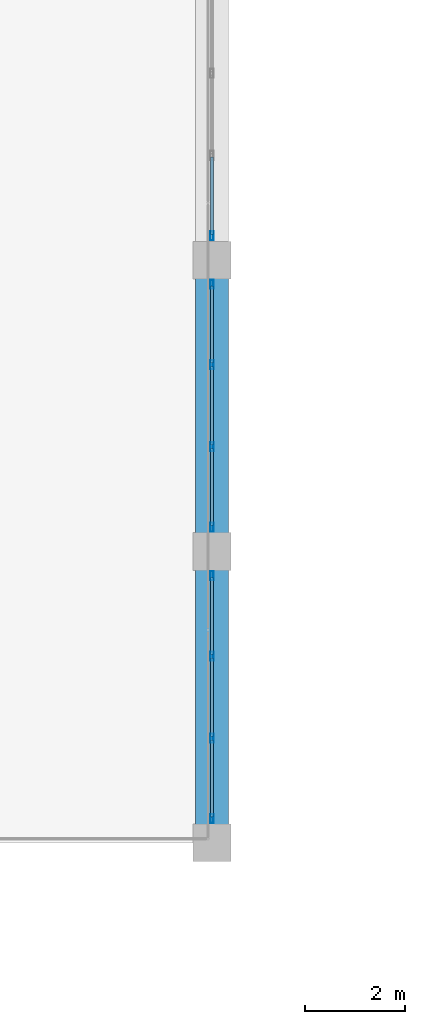
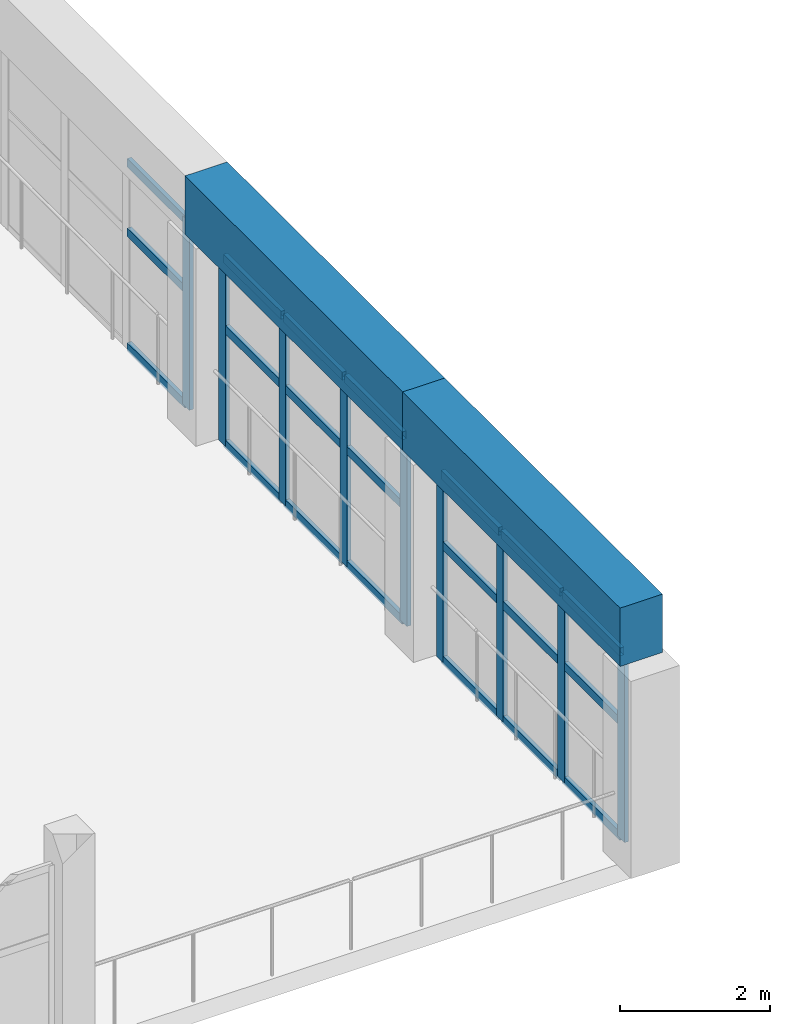
# One storey, part 32 of 128: 30 members, 2 beams, 3 elements without a shape of their own.
"""IFC4 building model written with IfcOpenShell, lengths in metres."""

from ifc_helpers import new_model, si_unit, direction, frame, origin, origin_2d, place, context, subcontext, project, spatial, rectangle, hollow_rectangle, extrude, material, material_profile, profile_set, type_object, element, aggregate, save


model = new_model("IFC4")

# Units and contexts
model_context = context("Model", 3, precision=1e-05, world=origin(), true_north=direction((0.0, 1.0)))
body_context = subcontext(model_context, "Body", "Model", "MODEL_VIEW")
ifc_project = project(units=[si_unit("LENGTHUNIT", "METRE"), si_unit("AREAUNIT", "SQUARE_METRE"), si_unit("VOLUMEUNIT", "CUBIC_METRE"), si_unit("PLANEANGLEUNIT", "RADIAN"), si_unit("MASSUNIT", "GRAM", prefix="KILO")], contexts=[model_context])

# Site, building, storey
site_placement = place(None, origin())
site = spatial("IfcSite", under=ifc_project, at=site_placement, CompositionType="ELEMENT")
building_placement = place(site_placement, origin())
building = spatial("IfcBuilding", under=site, at=building_placement, Name="Tanwirah Colonnade Gardens", CompositionType="ELEMENT")
storey_placement = place(building_placement, frame((0.0, 0.0, 4.760009765625)))
storey = spatial("IfcBuildingStorey", under=building, at=storey_placement, Name="L01", CompositionType="ELEMENT", Elevation=4.760009765625)

# Curtain wall, members
ifc_material_1 = material(Name="Bronze-anodised aluminium and solar-control low-E glass", Category="aluminium")
curtain_wall_type = type_object("IfcCurtainWallType", Name="CW-HALL", PredefinedType="NOTDEFINED", material=ifc_material_1)
curtain_wall_1_placement = place(storey_placement, origin())
curtain_wall_1 = element("IfcCurtainWall", 1, at=curtain_wall_1_placement, inside=storey, type_object=curtain_wall_type, Name="Curtain Wall CW-HALL-L01-E-1", PredefinedType="NOTDEFINED")
ifc_material_2 = material(Name="Bronze-anodised aluminium", Category="aluminium")
ifc_material_profile_1 = material_profile(ifc_material_2, hollow_rectangle(XDim=0.06494140625, YDim=0.179931640625, WallThickness=0.00390625, at=origin_2d()), Name="CW-MUL 65x180x4")
ifc_profile_set_1 = profile_set([ifc_material_profile_1], Name="Bronze-anodised aluminium")
member_type_1 = type_object("IfcMemberType", Name="CWM-65x180", PredefinedType="MULLION", material=ifc_profile_set_1)
member_1_placement = place(storey_placement, frame((108.0, 40.282470703125, 0.0), z_axis=(0.0, 0.0, 1.0), x_axis=(-1.0, 0.0, 0.0)))
member_1 = element("IfcMember", 2, at=member_1_placement, type_object=member_type_1, Name="CW-HALL mullion 1", PredefinedType="MULLION", context=body_context, shape_type="SweptSolid", body=[
    extrude(hollow_rectangle(XDim=0.06494140625, YDim=0.179931640625, WallThickness=0.00390625, at=origin_2d()), origin(), (0.0, 0.0, 1.0), 3.06005859375),
])
member_2_placement = place(storey_placement, frame((108.0, 41.88330078125, 0.0), z_axis=(0.0, 0.0, 1.0), x_axis=(-1.0, 0.0, 0.0)))
member_2 = element("IfcMember", 3, at=member_2_placement, type_object=member_type_1, Name="CW-HALL mullion 2", PredefinedType="MULLION", context=body_context, shape_type="SweptSolid", body=[
    extrude(hollow_rectangle(XDim=0.06494140625, YDim=0.179931640625, WallThickness=0.00390625, at=origin_2d()), origin(), (0.0, 0.0, 1.0), 3.06005859375),
])
member_3_placement = place(storey_placement, frame((108.0, 43.5166015625, 0.0), z_axis=(0.0, 0.0, 1.0), x_axis=(-1.0, 0.0, 0.0)))
member_3 = element("IfcMember", 4, at=member_3_placement, type_object=member_type_1, Name="CW-HALL mullion 3", PredefinedType="MULLION", context=body_context, shape_type="SweptSolid", body=[
    extrude(hollow_rectangle(XDim=0.06494140625, YDim=0.179931640625, WallThickness=0.00390625, at=origin_2d()), origin(), (0.0, 0.0, 1.0), 3.06005859375),
])
member_4_placement = place(storey_placement, frame((108.0, 45.117431640625, 0.0), z_axis=(0.0, 0.0, 1.0), x_axis=(-1.0, 0.0, 0.0)))
member_4 = element("IfcMember", 5, at=member_4_placement, type_object=member_type_1, Name="CW-HALL mullion 4", PredefinedType="MULLION", context=body_context, shape_type="SweptSolid", body=[
    extrude(hollow_rectangle(XDim=0.06494140625, YDim=0.179931640625, WallThickness=0.00390625, at=origin_2d()), origin(), (0.0, 0.0, 1.0), 3.06005859375),
])

curtain_wall_2_placement = place(storey_placement, origin())
curtain_wall_2 = element("IfcCurtainWall", 6, at=curtain_wall_2_placement, inside=storey, type_object=curtain_wall_type, Name="Curtain Wall CW-HALL-L01-E-2", PredefinedType="NOTDEFINED")
member_5_placement = place(storey_placement, frame((108.0, 46.08251953125, 0.0), z_axis=(0.0, 0.0, 1.0), x_axis=(-1.0, 0.0, 0.0)))
member_5 = element("IfcMember", 7, at=member_5_placement, type_object=member_type_1, Name="CW-HALL mullion 1", PredefinedType="MULLION", context=body_context, shape_type="SweptSolid", body=[
    extrude(hollow_rectangle(XDim=0.06494140625, YDim=0.179931640625, WallThickness=0.00390625, at=origin_2d()), origin(), (0.0, 0.0, 1.0), 3.06005859375),
])
member_6_placement = place(storey_placement, frame((108.0, 47.683349609375, 0.0), z_axis=(0.0, 0.0, 1.0), x_axis=(-1.0, 0.0, 0.0)))
member_6 = element("IfcMember", 8, at=member_6_placement, type_object=member_type_1, Name="CW-HALL mullion 2", PredefinedType="MULLION", context=body_context, shape_type="SweptSolid", body=[
    extrude(hollow_rectangle(XDim=0.06494140625, YDim=0.179931640625, WallThickness=0.00390625, at=origin_2d()), origin(), (0.0, 0.0, 1.0), 3.06005859375),
])
member_7_placement = place(storey_placement, frame((108.0, 49.316650390625, 0.0), z_axis=(0.0, 0.0, 1.0), x_axis=(-1.0, 0.0, 0.0)))
member_7 = element("IfcMember", 9, at=member_7_placement, type_object=member_type_1, Name="CW-HALL mullion 3", PredefinedType="MULLION", context=body_context, shape_type="SweptSolid", body=[
    extrude(hollow_rectangle(XDim=0.06494140625, YDim=0.179931640625, WallThickness=0.00390625, at=origin_2d()), origin(), (0.0, 0.0, 1.0), 3.06005859375),
])
member_8_placement = place(storey_placement, frame((108.0, 50.91748046875, 0.0), z_axis=(0.0, 0.0, 1.0), x_axis=(-1.0, 0.0, 0.0)))
member_8 = element("IfcMember", 10, at=member_8_placement, type_object=member_type_1, Name="CW-HALL mullion 4", PredefinedType="MULLION", context=body_context, shape_type="SweptSolid", body=[
    extrude(hollow_rectangle(XDim=0.06494140625, YDim=0.179931640625, WallThickness=0.00390625, at=origin_2d()), origin(), (0.0, 0.0, 1.0), 3.06005859375),
])

# Curtain wall, member
curtain_wall_3_placement = place(storey_placement, origin())
curtain_wall_3 = element("IfcCurtainWall", 11, at=curtain_wall_3_placement, inside=storey, type_object=curtain_wall_type, Name="Curtain Wall CW-HALL-L01-E-3", PredefinedType="NOTDEFINED")
member_9_placement = place(storey_placement, frame((108.0, 51.882568359375, 0.0), z_axis=(0.0, 0.0, 1.0), x_axis=(-1.0, 0.0, 0.0)))
member_9 = element("IfcMember", 12, at=member_9_placement, type_object=member_type_1, Name="CW-HALL mullion 1", PredefinedType="MULLION", context=body_context, shape_type="SweptSolid", body=[
    extrude(hollow_rectangle(XDim=0.06494140625, YDim=0.179931640625, WallThickness=0.00390625, at=origin_2d()), origin(), (0.0, 0.0, 1.0), 3.06005859375),
])

# Member
ifc_material_profile_2 = material_profile(ifc_material_2, hollow_rectangle(XDim=0.06494140625, YDim=0.135009765625, WallThickness=0.00390625, at=origin_2d()), Name="CW-TRN 65x135x4")
ifc_profile_set_2 = profile_set([ifc_material_profile_2], Name="Bronze-anodised aluminium")
member_type_2 = type_object("IfcMemberType", Name="CWT-65x135", PredefinedType="USERDEFINED", material=ifc_profile_set_2)
member_10_placement = place(storey_placement, frame((108.0, 40.31494140625, 0.032470703125), z_axis=(0.0, 1.0, 0.0), x_axis=(-1.0, 0.0, 0.0)))
member_10 = element("IfcMember", 13, at=member_10_placement, type_object=member_type_2, Name="CW-HALL transom 1.1", ObjectType="TRANSOM", PredefinedType="USERDEFINED", context=body_context, shape_type="SweptSolid", body=[
    extrude(hollow_rectangle(XDim=0.06494140625, YDim=0.135009765625, WallThickness=0.00390625, at=origin_2d()), origin(), (0.0, 0.0, 1.0), 1.535888671875),
])

member_11_placement = place(storey_placement, frame((108.0, 40.31494140625, 1.897216796875), z_axis=(0.0, 1.0, 0.0), x_axis=(-1.0, 0.0, 0.0)))
member_11 = element("IfcMember", 14, at=member_11_placement, type_object=member_type_2, Name="CW-HALL transom 1.2", ObjectType="TRANSOM", PredefinedType="USERDEFINED", context=body_context, shape_type="SweptSolid", body=[
    extrude(hollow_rectangle(XDim=0.06494140625, YDim=0.135009765625, WallThickness=0.00390625, at=origin_2d()), origin(), (0.0, 0.0, 1.0), 1.535888671875),
])

member_12_placement = place(storey_placement, frame((108.0, 40.31494140625, 3.027587890625), z_axis=(0.0, 1.0, 0.0), x_axis=(-1.0, 0.0, 0.0)))
member_12 = element("IfcMember", 15, at=member_12_placement, type_object=member_type_2, Name="CW-HALL transom 1.3", ObjectType="TRANSOM", PredefinedType="USERDEFINED", context=body_context, shape_type="SweptSolid", body=[
    extrude(hollow_rectangle(XDim=0.06494140625, YDim=0.135009765625, WallThickness=0.00390625, at=origin_2d()), origin(), (0.0, 0.0, 1.0), 1.535888671875),
])

member_13_placement = place(storey_placement, frame((108.0, 41.915771484375, 0.032470703125), z_axis=(0.0, 1.0, 0.0), x_axis=(-1.0, 0.0, 0.0)))
member_13 = element("IfcMember", 16, at=member_13_placement, type_object=member_type_2, Name="CW-HALL transom 2.1", ObjectType="TRANSOM", PredefinedType="USERDEFINED", context=body_context, shape_type="SweptSolid", body=[
    extrude(hollow_rectangle(XDim=0.06494140625, YDim=0.135009765625, WallThickness=0.00390625, at=origin_2d()), origin(), (0.0, 0.0, 1.0), 1.568359375),
])

member_14_placement = place(storey_placement, frame((108.0, 41.915771484375, 1.897216796875), z_axis=(0.0, 1.0, 0.0), x_axis=(-1.0, 0.0, 0.0)))
member_14 = element("IfcMember", 17, at=member_14_placement, type_object=member_type_2, Name="CW-HALL transom 2.2", ObjectType="TRANSOM", PredefinedType="USERDEFINED", context=body_context, shape_type="SweptSolid", body=[
    extrude(hollow_rectangle(XDim=0.06494140625, YDim=0.135009765625, WallThickness=0.00390625, at=origin_2d()), origin(), (0.0, 0.0, 1.0), 1.568359375),
])

member_15_placement = place(storey_placement, frame((108.0, 41.915771484375, 3.027587890625), z_axis=(0.0, 1.0, 0.0), x_axis=(-1.0, 0.0, 0.0)))
member_15 = element("IfcMember", 18, at=member_15_placement, type_object=member_type_2, Name="CW-HALL transom 2.3", ObjectType="TRANSOM", PredefinedType="USERDEFINED", context=body_context, shape_type="SweptSolid", body=[
    extrude(hollow_rectangle(XDim=0.06494140625, YDim=0.135009765625, WallThickness=0.00390625, at=origin_2d()), origin(), (0.0, 0.0, 1.0), 1.568359375),
])

member_16_placement = place(storey_placement, frame((108.0, 43.549072265625, 0.032470703125), z_axis=(0.0, 1.0, 0.0), x_axis=(-1.0, 0.0, 0.0)))
member_16 = element("IfcMember", 19, at=member_16_placement, type_object=member_type_2, Name="CW-HALL transom 3.1", ObjectType="TRANSOM", PredefinedType="USERDEFINED", context=body_context, shape_type="SweptSolid", body=[
    extrude(hollow_rectangle(XDim=0.06494140625, YDim=0.135009765625, WallThickness=0.00390625, at=origin_2d()), origin(), (0.0, 0.0, 1.0), 1.535888671875),
])

member_17_placement = place(storey_placement, frame((108.0, 43.549072265625, 1.897216796875), z_axis=(0.0, 1.0, 0.0), x_axis=(-1.0, 0.0, 0.0)))
member_17 = element("IfcMember", 20, at=member_17_placement, type_object=member_type_2, Name="CW-HALL transom 3.2", ObjectType="TRANSOM", PredefinedType="USERDEFINED", context=body_context, shape_type="SweptSolid", body=[
    extrude(hollow_rectangle(XDim=0.06494140625, YDim=0.135009765625, WallThickness=0.00390625, at=origin_2d()), origin(), (0.0, 0.0, 1.0), 1.535888671875),
])

member_18_placement = place(storey_placement, frame((108.0, 43.549072265625, 3.027587890625), z_axis=(0.0, 1.0, 0.0), x_axis=(-1.0, 0.0, 0.0)))
member_18 = element("IfcMember", 21, at=member_18_placement, type_object=member_type_2, Name="CW-HALL transom 3.3", ObjectType="TRANSOM", PredefinedType="USERDEFINED", context=body_context, shape_type="SweptSolid", body=[
    extrude(hollow_rectangle(XDim=0.06494140625, YDim=0.135009765625, WallThickness=0.00390625, at=origin_2d()), origin(), (0.0, 0.0, 1.0), 1.535888671875),
])

aggregate(curtain_wall_1, [member_1, member_2, member_3, member_4, member_10, member_11, member_12, member_13, member_14, member_15, member_16, member_17, member_18])

member_19_placement = place(storey_placement, frame((108.0, 46.114990234375, 0.032470703125), z_axis=(0.0, 1.0, 0.0), x_axis=(-1.0, 0.0, 0.0)))
member_19 = element("IfcMember", 22, at=member_19_placement, type_object=member_type_2, Name="CW-HALL transom 1.1", ObjectType="TRANSOM", PredefinedType="USERDEFINED", context=body_context, shape_type="SweptSolid", body=[
    extrude(hollow_rectangle(XDim=0.06494140625, YDim=0.135009765625, WallThickness=0.00390625, at=origin_2d()), origin(), (0.0, 0.0, 1.0), 1.535888671875),
])

member_20_placement = place(storey_placement, frame((108.0, 46.114990234375, 1.897216796875), z_axis=(0.0, 1.0, 0.0), x_axis=(-1.0, 0.0, 0.0)))
member_20 = element("IfcMember", 23, at=member_20_placement, type_object=member_type_2, Name="CW-HALL transom 1.2", ObjectType="TRANSOM", PredefinedType="USERDEFINED", context=body_context, shape_type="SweptSolid", body=[
    extrude(hollow_rectangle(XDim=0.06494140625, YDim=0.135009765625, WallThickness=0.00390625, at=origin_2d()), origin(), (0.0, 0.0, 1.0), 1.535888671875),
])

member_21_placement = place(storey_placement, frame((108.0, 46.114990234375, 3.027587890625), z_axis=(0.0, 1.0, 0.0), x_axis=(-1.0, 0.0, 0.0)))
member_21 = element("IfcMember", 24, at=member_21_placement, type_object=member_type_2, Name="CW-HALL transom 1.3", ObjectType="TRANSOM", PredefinedType="USERDEFINED", context=body_context, shape_type="SweptSolid", body=[
    extrude(hollow_rectangle(XDim=0.06494140625, YDim=0.135009765625, WallThickness=0.00390625, at=origin_2d()), origin(), (0.0, 0.0, 1.0), 1.535888671875),
])

member_22_placement = place(storey_placement, frame((108.0, 47.7158203125, 0.032470703125), z_axis=(0.0, 1.0, 0.0), x_axis=(-1.0, 0.0, 0.0)))
member_22 = element("IfcMember", 25, at=member_22_placement, type_object=member_type_2, Name="CW-HALL transom 2.1", ObjectType="TRANSOM", PredefinedType="USERDEFINED", context=body_context, shape_type="SweptSolid", body=[
    extrude(hollow_rectangle(XDim=0.06494140625, YDim=0.135009765625, WallThickness=0.00390625, at=origin_2d()), origin(), (0.0, 0.0, 1.0), 1.568359375),
])

member_23_placement = place(storey_placement, frame((108.0, 47.7158203125, 1.897216796875), z_axis=(0.0, 1.0, 0.0), x_axis=(-1.0, 0.0, 0.0)))
member_23 = element("IfcMember", 26, at=member_23_placement, type_object=member_type_2, Name="CW-HALL transom 2.2", ObjectType="TRANSOM", PredefinedType="USERDEFINED", context=body_context, shape_type="SweptSolid", body=[
    extrude(hollow_rectangle(XDim=0.06494140625, YDim=0.135009765625, WallThickness=0.00390625, at=origin_2d()), origin(), (0.0, 0.0, 1.0), 1.568359375),
])

member_24_placement = place(storey_placement, frame((108.0, 47.7158203125, 3.027587890625), z_axis=(0.0, 1.0, 0.0), x_axis=(-1.0, 0.0, 0.0)))
member_24 = element("IfcMember", 27, at=member_24_placement, type_object=member_type_2, Name="CW-HALL transom 2.3", ObjectType="TRANSOM", PredefinedType="USERDEFINED", context=body_context, shape_type="SweptSolid", body=[
    extrude(hollow_rectangle(XDim=0.06494140625, YDim=0.135009765625, WallThickness=0.00390625, at=origin_2d()), origin(), (0.0, 0.0, 1.0), 1.568359375),
])

member_25_placement = place(storey_placement, frame((108.0, 49.34912109375, 0.032470703125), z_axis=(0.0, 1.0, 0.0), x_axis=(-1.0, 0.0, 0.0)))
member_25 = element("IfcMember", 28, at=member_25_placement, type_object=member_type_2, Name="CW-HALL transom 3.1", ObjectType="TRANSOM", PredefinedType="USERDEFINED", context=body_context, shape_type="SweptSolid", body=[
    extrude(hollow_rectangle(XDim=0.06494140625, YDim=0.135009765625, WallThickness=0.00390625, at=origin_2d()), origin(), (0.0, 0.0, 1.0), 1.535888671875),
])

member_26_placement = place(storey_placement, frame((108.0, 49.34912109375, 1.897216796875), z_axis=(0.0, 1.0, 0.0), x_axis=(-1.0, 0.0, 0.0)))
member_26 = element("IfcMember", 29, at=member_26_placement, type_object=member_type_2, Name="CW-HALL transom 3.2", ObjectType="TRANSOM", PredefinedType="USERDEFINED", context=body_context, shape_type="SweptSolid", body=[
    extrude(hollow_rectangle(XDim=0.06494140625, YDim=0.135009765625, WallThickness=0.00390625, at=origin_2d()), origin(), (0.0, 0.0, 1.0), 1.535888671875),
])

member_27_placement = place(storey_placement, frame((108.0, 49.34912109375, 3.027587890625), z_axis=(0.0, 1.0, 0.0), x_axis=(-1.0, 0.0, 0.0)))
member_27 = element("IfcMember", 30, at=member_27_placement, type_object=member_type_2, Name="CW-HALL transom 3.3", ObjectType="TRANSOM", PredefinedType="USERDEFINED", context=body_context, shape_type="SweptSolid", body=[
    extrude(hollow_rectangle(XDim=0.06494140625, YDim=0.135009765625, WallThickness=0.00390625, at=origin_2d()), origin(), (0.0, 0.0, 1.0), 1.535888671875),
])

aggregate(curtain_wall_2, [member_5, member_6, member_7, member_8, member_19, member_20, member_21, member_22, member_23, member_24, member_25, member_26, member_27])

member_28_placement = place(storey_placement, frame((108.0, 51.9150390625, 0.032470703125), z_axis=(0.0, 1.0, 0.0), x_axis=(-1.0, 0.0, 0.0)))
member_28 = element("IfcMember", 31, at=member_28_placement, type_object=member_type_2, Name="CW-HALL transom 1.1", ObjectType="TRANSOM", PredefinedType="USERDEFINED", context=body_context, shape_type="SweptSolid", body=[
    extrude(hollow_rectangle(XDim=0.06494140625, YDim=0.135009765625, WallThickness=0.00390625, at=origin_2d()), origin(), (0.0, 0.0, 1.0), 1.535888671875),
])

member_29_placement = place(storey_placement, frame((108.0, 51.9150390625, 1.897216796875), z_axis=(0.0, 1.0, 0.0), x_axis=(-1.0, 0.0, 0.0)))
member_29 = element("IfcMember", 32, at=member_29_placement, type_object=member_type_2, Name="CW-HALL transom 1.2", ObjectType="TRANSOM", PredefinedType="USERDEFINED", context=body_context, shape_type="SweptSolid", body=[
    extrude(hollow_rectangle(XDim=0.06494140625, YDim=0.135009765625, WallThickness=0.00390625, at=origin_2d()), origin(), (0.0, 0.0, 1.0), 1.535888671875),
])

member_30_placement = place(storey_placement, frame((108.0, 51.9150390625, 3.027587890625), z_axis=(0.0, 1.0, 0.0), x_axis=(-1.0, 0.0, 0.0)))
member_30 = element("IfcMember", 33, at=member_30_placement, type_object=member_type_2, Name="CW-HALL transom 1.3", ObjectType="TRANSOM", PredefinedType="USERDEFINED", context=body_context, shape_type="SweptSolid", body=[
    extrude(hollow_rectangle(XDim=0.06494140625, YDim=0.135009765625, WallThickness=0.00390625, at=origin_2d()), origin(), (0.0, 0.0, 1.0), 1.535888671875),
])

aggregate(curtain_wall_3, [member_9, member_28, member_29, member_30])

# Beams
ifc_material_3 = material(Name="Concrete C45/55", Category="concrete")
ifc_material_profile_3 = material_profile(ifc_material_3, rectangle(XDim=0.64990234375, YDim=0.949951171875, at=origin_2d()), Name="RC-RB 650x950")
ifc_profile_set_3 = profile_set([ifc_material_profile_3], Name="Concrete C45/55")
beam_type = type_object("IfcBeamType", Name="RB-V650", PredefinedType="BEAM", material=ifc_profile_set_3)
beam_1_placement = place(storey_placement, frame((108.0, 39.800048828125, 3.68505859375), z_axis=(0.0, 1.0, 0.0), x_axis=(-1.0, 0.0, 0.0)))
element("IfcBeam", 34, at=beam_1_placement, inside=storey, type_object=beam_type, Name="Community Hall Vault Ring Beam E-1", PredefinedType="BEAM", context=body_context, shape_type="SweptSolid", body=[
    extrude(rectangle(XDim=0.64990234375, YDim=0.949951171875, at=origin_2d()), origin(), (0.0, 0.0, 1.0), 5.800048828125),
])
beam_2_placement = place(storey_placement, frame((108.0, 45.60009765625, 3.68505859375), z_axis=(0.0, 1.0, 0.0), x_axis=(-1.0, 0.0, 0.0)))
element("IfcBeam", 35, at=beam_2_placement, inside=storey, type_object=beam_type, Name="Community Hall Vault Ring Beam E-2", PredefinedType="BEAM", context=body_context, shape_type="SweptSolid", body=[
    extrude(rectangle(XDim=0.64990234375, YDim=0.949951171875, at=origin_2d()), origin(), (0.0, 0.0, 1.0), 5.7998046875),
])

save(model, "model.ifc")
